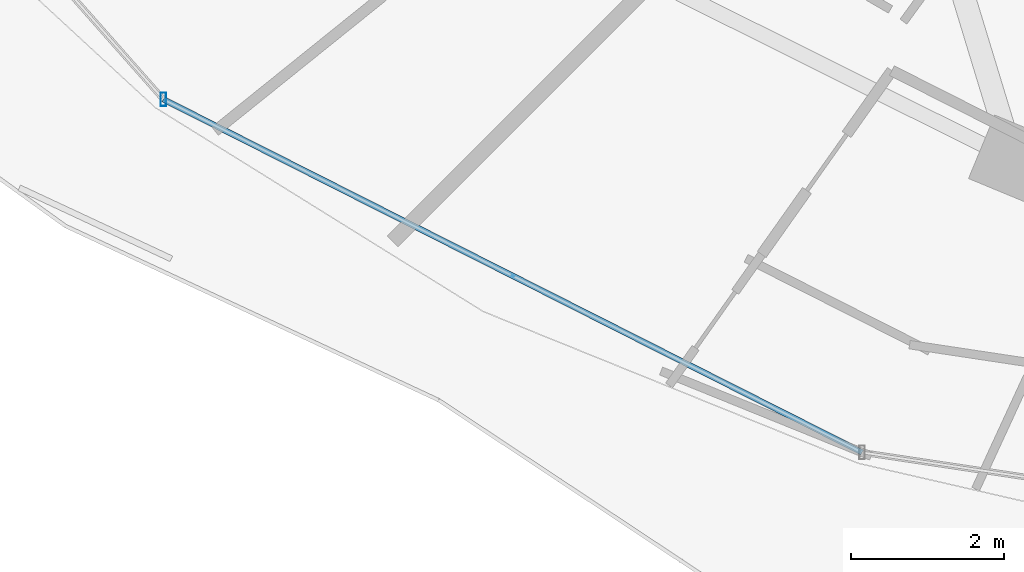
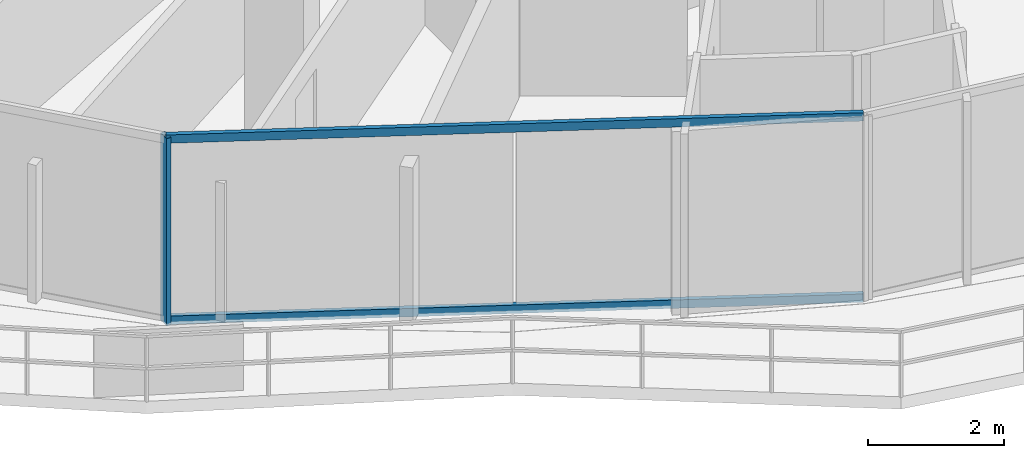
# One storey, part 2 of 32: 3 members, 1 element without a shape of its own.
"""IFC4 building model written with IfcOpenShell, lengths in metres."""

from ifc_helpers import new_model, si_unit, direction, frame, origin, origin_2d, place, context, subcontext, project, spatial, hollow_rectangle, extrude, material, material_profile, profile_set, type_object, element, aggregate, save


model = new_model("IFC4")

# Units and contexts
model_context = context("Model", 3, precision=1e-05, world=origin(), true_north=direction((0.0, 1.0)))
body_context = subcontext(model_context, "Body", "Model", "MODEL_VIEW")
ifc_project = project(units=[si_unit("LENGTHUNIT", "METRE"), si_unit("AREAUNIT", "SQUARE_METRE"), si_unit("VOLUMEUNIT", "CUBIC_METRE"), si_unit("PLANEANGLEUNIT", "RADIAN"), si_unit("MASSUNIT", "GRAM", prefix="KILO")], contexts=[model_context])

# Site, building, storey
site_placement = place(None, origin())
site = spatial("IfcSite", under=ifc_project, at=site_placement, CompositionType="ELEMENT")
building_placement = place(site_placement, origin())
building = spatial("IfcBuilding", under=site, at=building_placement, Name="Vorneva Point Tower", CompositionType="ELEMENT")
storey_placement = place(building_placement, frame((0.0, 0.0, 207.199951171875)))
storey = spatial("IfcBuildingStorey", under=building, at=storey_placement, Name="L56", CompositionType="ELEMENT", Elevation=207.199951171875)

# Curtain wall, members
ifc_material = material(Name="Pale anodised aluminium", Category="aluminium")
curtain_wall_type = type_object("IfcCurtainWallType", Name="CW-RES-SYS", PredefinedType="NOTDEFINED", material=ifc_material)
curtain_wall_placement = place(storey_placement, origin())
curtain_wall = element("IfcCurtainWall", 1, at=curtain_wall_placement, inside=storey, type_object=curtain_wall_type, Name="L56 Unitised Curtain Wall CW-L56-R03", PredefinedType="NOTDEFINED")
ifc_material_profile_1 = material_profile(ifc_material, hollow_rectangle(XDim=0.074951171875, YDim=0.179931640625, WallThickness=0.00390625, at=origin_2d()), Name="AL-MUL 180x75x4")
ifc_profile_set_1 = profile_set([ifc_material_profile_1], Name="Pale anodised aluminium")
member_type_1 = type_object("IfcMemberType", Name="CW-MUL-180", PredefinedType="MULLION", material=ifc_profile_set_1)
member_1_placement = place(storey_placement, frame((18.038330078125, 10.9033203125, -0.0400390625), z_axis=(0.0, 0.0, 1.0), x_axis=(1.0, 0.0, 0.0)))
member_1 = element("IfcMember", 2, at=member_1_placement, type_object=member_type_1, Name="CW-L56-R03 Mullion 02", PredefinedType="MULLION", context=body_context, shape_type="SweptSolid", body=[
    extrude(hollow_rectangle(XDim=0.074951171875, YDim=0.179931640625, WallThickness=0.00390625, at=origin_2d()), origin(), (0.0, 0.0, 1.0), 3.360107421875),
])
ifc_material_profile_2 = material_profile(ifc_material, hollow_rectangle(XDim=0.074951171875, YDim=0.14990234375, WallThickness=0.00390625, at=origin_2d()), Name="AL-TRN 150x75x4")
ifc_profile_set_2 = profile_set([ifc_material_profile_2], Name="Pale anodised aluminium")
member_type_2 = type_object("IfcMemberType", Name="CW-TRN-150", PredefinedType="USERDEFINED", material=ifc_profile_set_2)
member_2_placement = place(storey_placement, frame((18.038330078125, 10.9033203125, 0.02001953125), z_axis=(0.892510927709, -0.451025768576, 0.0), x_axis=(0.451025768576, 0.892510927709, 0.0)))
member_2 = element("IfcMember", 3, at=member_2_placement, type_object=member_type_2, Name="CW-L56-R03 Transom 02.1", ObjectType="TRANSOM", PredefinedType="USERDEFINED", context=body_context, shape_type="SweptSolid", body=[
    extrude(hollow_rectangle(XDim=0.074951171875, YDim=0.14990234375, WallThickness=0.00390625, at=origin_2d()), origin(), (0.0, 0.0, 1.0), 10.261474609375),
])
member_3_placement = place(storey_placement, frame((18.038330078125, 10.9033203125, 3.27001953125), z_axis=(0.892510927709, -0.451025768576, 0.0), x_axis=(0.451025768576, 0.892510927709, 0.0)))
member_3 = element("IfcMember", 4, at=member_3_placement, type_object=member_type_2, Name="CW-L56-R03 Transom 02.2", ObjectType="TRANSOM", PredefinedType="USERDEFINED", context=body_context, shape_type="SweptSolid", body=[
    extrude(hollow_rectangle(XDim=0.074951171875, YDim=0.14990234375, WallThickness=0.00390625, at=origin_2d()), origin(), (0.0, 0.0, 1.0), 10.261474609375),
])
aggregate(curtain_wall, [member_1, member_2, member_3])

save(model, "model.ifc")
